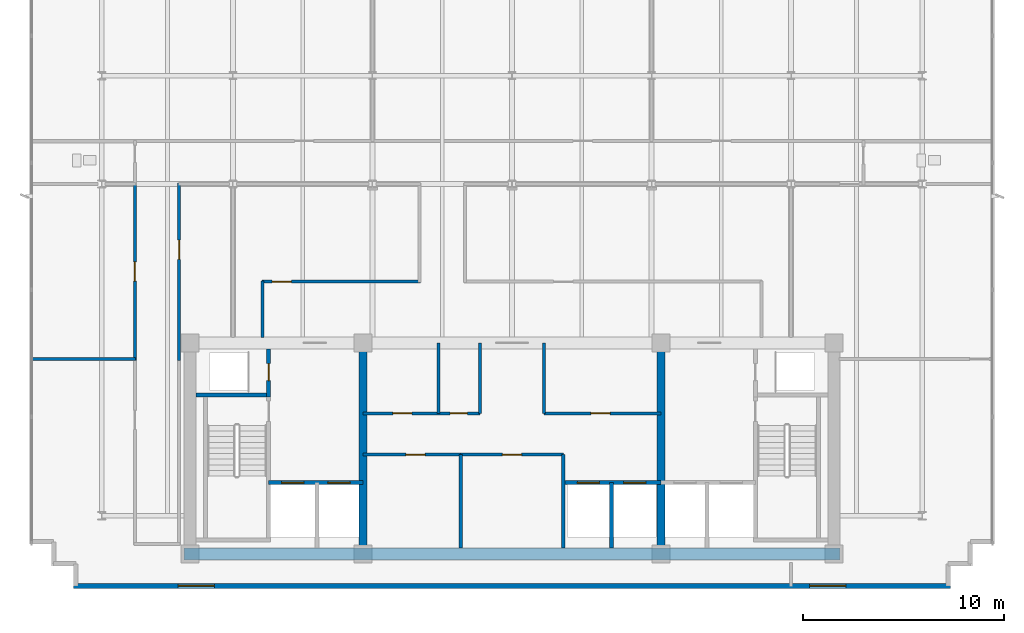
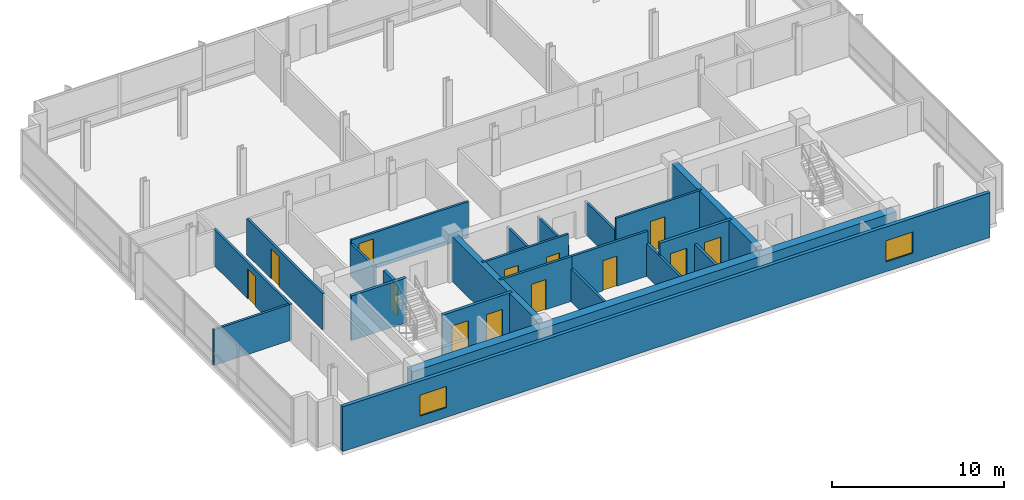
# One storey, part 8 of 13: 23 walls, 13 doors, 2 windows, 15 openings.
"""IFC4 building model written with IfcOpenShell, lengths in metres."""

from ifc_helpers import new_model, si_unit, direction, frame, frame_2d, origin, place, context, subcontext, project, spatial, rectangle, extrude, material, layer, layer_set, type_object, element, fill, save


model = new_model("IFC4")

# Units and contexts
model_context = context("Model", 3, precision=1e-05, world=origin(), true_north=direction((0.0, 1.0)))
body_context = subcontext(model_context, "Body", "Model", "MODEL_VIEW")
ifc_project = project(units=[si_unit("LENGTHUNIT", "METRE"), si_unit("AREAUNIT", "SQUARE_METRE"), si_unit("VOLUMEUNIT", "CUBIC_METRE"), si_unit("PLANEANGLEUNIT", "RADIAN"), si_unit("MASSUNIT", "GRAM", prefix="KILO")], contexts=[model_context])

# Site, building, storey
site_placement = place(None, origin())
site = spatial("IfcSite", under=ifc_project, at=site_placement, CompositionType="ELEMENT")
building_placement = place(site_placement, origin())
building = spatial("IfcBuilding", under=site, at=building_placement, Name="Solmavex Isthmus Hotel", CompositionType="ELEMENT")
storey_placement = place(building_placement, frame((0.0, 0.0, 279.89990234375)))
storey = spatial("IfcBuildingStorey", under=building, at=storey_placement, Name="L76", CompositionType="ELEMENT", Elevation=279.89990234375)

# Wall, openings, windows
ifc_material_1 = material(Name="Precast Concrete C40/50", Category="concrete")
ifc_layer_1 = layer(ifc_material_1, 0.25)
ifc_layer_set_1 = layer_set([ifc_layer_1], Name="Precast Concrete C40/50")
wall_type_1 = type_object("IfcWallType", Name="EW-TWR-250", PredefinedType="STANDARD", material=ifc_layer_set_1)
wall_1_placement = place(storey_placement, frame((-21.800048828125, -14.580078125, 0.0), z_axis=(0.0, 0.0, 1.0), x_axis=(1.0, 0.0, 0.0)))
wall_1 = element("IfcWall", 1, at=wall_1_placement, inside=storey, type_object=wall_type_1, Name="Tower Rear South Facade Wall L76", PredefinedType="STANDARD", context=body_context, shape_type="SweptSolid", body=[
    extrude(rectangle(XDim=43.60009765625, YDim=0.239990234375, at=frame_2d((21.800048828125, 0.0))), origin(), (0.0, 0.0, 1.0), 3.190185546875),
])
opening_1_placement = place(wall_1_placement, frame((5.2041015625, 0.0, 0.699951171875)))
opening_1 = element("IfcOpeningElement", 2, at=opening_1_placement, cuts=wall_1, Name="Opening WN-02", PredefinedType="OPENING", context=body_context, shape_type="SweptSolid", body=[
    extrude(rectangle(XDim=1.800048828125, YDim=1.5, at=frame_2d((0.89990234375, 0.75))), frame((0.0, 0.1298828125, 0.0), z_axis=(0.0, -1.0, 0.0), x_axis=(1.0, 0.0, 0.0)), (0.0, 0.0, 1.0), 0.260009765625),
])
opening_2_placement = place(wall_1_placement, frame((36.595947265625, 0.0, 0.699951171875)))
opening_2 = element("IfcOpeningElement", 3, at=opening_2_placement, cuts=wall_1, Name="Opening WN-02", PredefinedType="OPENING", context=body_context, shape_type="SweptSolid", body=[
    extrude(rectangle(XDim=1.800048828125, YDim=1.5, at=frame_2d((0.89990234375, 0.75))), frame((0.0, 0.1298828125, 0.0), z_axis=(0.0, -1.0, 0.0), x_axis=(1.0, 0.0, 0.0)), (0.0, 0.0, 1.0), 0.260009765625),
])
ifc_material_2 = material(Name="Clear low-E laminated glass", Category="glass")
window_type = type_object("IfcWindowType", Name="WIN-TWR-1800", PartitioningType="SINGLE_PANEL", PredefinedType="WINDOW", material=ifc_material_2)
window_1_placement = place(opening_1_placement, origin())
window_1 = element("IfcWindow", 4, at=window_1_placement, inside=storey, type_object=window_type, Name="South Facade Vision Window L76-S1", OverallHeight=1.5, OverallWidth=1.800048828125, PartitioningType="SINGLE_PANEL", PredefinedType="WINDOW", context=body_context, shape_type="SweptSolid", body=[
    extrude(rectangle(XDim=1.800048828125, YDim=1.5, at=frame_2d((0.89990234375, 0.75))), frame((0.0, 0.030029296875, 0.0), z_axis=(0.0, -1.0, 0.0), x_axis=(1.0, 0.0, 0.0)), (0.0, 0.0, 1.0), 0.06005859375),
])
fill(opening_1, window_1)
window_2_placement = place(opening_2_placement, origin())
window_2 = element("IfcWindow", 5, at=window_2_placement, inside=storey, type_object=window_type, Name="South Facade Vision Window L76-S2", OverallHeight=1.5, OverallWidth=1.800048828125, PartitioningType="SINGLE_PANEL", PredefinedType="WINDOW", context=body_context, shape_type="SweptSolid", body=[
    extrude(rectangle(XDim=1.800048828125, YDim=1.5, at=frame_2d((0.89990234375, 0.75))), frame((0.0, 0.030029296875, 0.0), z_axis=(0.0, -1.0, 0.0), x_axis=(1.0, 0.0, 0.0)), (0.0, 0.0, 1.0), 0.06005859375),
])
fill(opening_2, window_2)

# Wall, opening, door
ifc_material_3 = material(Name="Gypsum plasterboard lining", Category="gypsum")
ifc_layer_2 = layer(ifc_material_3, 0.159912109375)
ifc_layer_set_2 = layer_set([ifc_layer_2], Name="Gypsum plasterboard lining")
wall_type_2 = type_object("IfcWallType", Name="IW-COMP-160", PredefinedType="PARTITIONING", material=ifc_layer_set_2)
wall_2_placement = place(storey_placement, frame((-7.39990234375, -8.050048828125, 0.0), z_axis=(0.0, 0.0, 1.0), x_axis=(1.0, 0.0, 0.0)))
wall_2 = element("IfcWall", 6, at=wall_2_placement, inside=storey, type_object=wall_type_2, Name="Interior Partition Wall W-L76-REC-PLL-N", PredefinedType="PARTITIONING", context=body_context, shape_type="SweptSolid", body=[
    extrude(rectangle(XDim=4.849853515625, YDim=0.159912109375, at=frame_2d((2.4248046875, 0.0))), origin(), (0.0, 0.0, 1.0), 3.190185546875),
])
opening_3_placement = place(wall_2_placement, frame((2.125, 0.0, 0.0)))
opening_3 = element("IfcOpeningElement", 7, at=opening_3_placement, cuts=wall_2, Name="Opening ID-C095", PredefinedType="OPENING", context=body_context, shape_type="SweptSolid", body=[
    extrude(rectangle(XDim=0.949951171875, YDim=2.14990234375, at=frame_2d((0.47509765625, 1.074951171875))), frame((0.0, 0.08984375, 0.0), z_axis=(0.0, -1.0, 0.0), x_axis=(1.0, 0.0, 0.0)), (0.0, 0.0, 1.0), 0.179931640625),
])
ifc_material_4 = material(Name="Hardwood timber", Category="wood")
door_type_1 = type_object("IfcDoorType", Name="IDR-FD60-0950", OperationType="NOTDEFINED", PredefinedType="DOOR", material=ifc_material_4)
door_1_placement = place(opening_3_placement, origin())
door_1 = element("IfcDoor", 8, at=door_1_placement, inside=storey, type_object=door_type_1, Name="Linen Reserve Door L76", OperationType="SINGLE_SWING_LEFT", OverallHeight=2.14990234375, OverallWidth=0.949951171875, PredefinedType="DOOR", context=body_context, shape_type="SweptSolid", body=[
    extrude(rectangle(XDim=0.949951171875, YDim=2.14990234375, at=frame_2d((0.47509765625, 1.074951171875))), frame((0.0, 0.02490234375, 0.0), z_axis=(0.0, -1.0, 0.0), x_axis=(1.0, 0.0, 0.0)), (0.0, 0.0, 1.0), 0.050048828125),
])
fill(opening_3, door_1)

# Wall
wall_3_placement = place(storey_placement, frame((-2.550048828125, -12.699951171875, 0.0), z_axis=(0.0, 0.0, 1.0), x_axis=(0.0, 1.0, 0.0)))
element("IfcWall", 9, at=wall_3_placement, inside=storey, type_object=wall_type_2, Name="Interior Partition Wall W-L76-REC-PLL-E", PredefinedType="PARTITIONING", context=body_context, shape_type="SweptSolid", body=[
    extrude(rectangle(XDim=4.64990234375, YDim=0.159912109375, at=frame_2d((2.324951171875, 0.0))), origin(), (0.0, 0.0, 1.0), 2.3251953125),
])

# Wall, opening, door
wall_4_placement = place(storey_placement, frame((-2.550048828125, -8.050048828125, 0.0), z_axis=(0.0, 0.0, 1.0), x_axis=(1.0, 0.0, 0.0)))
wall_4 = element("IfcWall", 10, at=wall_4_placement, inside=storey, type_object=wall_type_2, Name="Interior Partition Wall W-L76-REC-PLM-N", PredefinedType="PARTITIONING", context=body_context, shape_type="SweptSolid", body=[
    extrude(rectangle(XDim=5.10009765625, YDim=0.159912109375, at=frame_2d((2.550048828125, 0.0))), origin(), (0.0, 0.0, 1.0), 3.190185546875),
])
opening_4_placement = place(wall_4_placement, frame((2.074951171875, 0.0, 0.0)))
opening_4 = element("IfcOpeningElement", 11, at=opening_4_placement, cuts=wall_4, Name="Opening ID-C095", PredefinedType="OPENING", context=body_context, shape_type="SweptSolid", body=[
    extrude(rectangle(XDim=0.949951171875, YDim=2.14990234375, at=frame_2d((0.47509765625, 1.074951171875))), frame((0.0, 0.08984375, 0.0), z_axis=(0.0, -1.0, 0.0), x_axis=(1.0, 0.0, 0.0)), (0.0, 0.0, 1.0), 0.179931640625),
])
door_2_placement = place(opening_4_placement, origin())
door_2 = element("IfcDoor", 12, at=door_2_placement, inside=storey, type_object=door_type_1, Name="Butler Store Door L76", OperationType="SINGLE_SWING_RIGHT", OverallHeight=2.14990234375, OverallWidth=0.949951171875, PredefinedType="DOOR", context=body_context, shape_type="SweptSolid", body=[
    extrude(rectangle(XDim=0.949951171875, YDim=2.14990234375, at=frame_2d((0.47509765625, 1.074951171875))), frame((0.0, 0.02490234375, 0.0), z_axis=(0.0, -1.0, 0.0), x_axis=(1.0, 0.0, 0.0)), (0.0, 0.0, 1.0), 0.050048828125),
])
fill(opening_4, door_2)

# Walls
wall_5_placement = place(storey_placement, frame((2.550048828125, -12.699951171875, 0.0), z_axis=(0.0, 0.0, 1.0), x_axis=(0.0, 1.0, 0.0)))
element("IfcWall", 13, at=wall_5_placement, inside=storey, type_object=wall_type_2, Name="Interior Partition Wall W-L76-REC-PLM-E", PredefinedType="PARTITIONING", context=body_context, shape_type="SweptSolid", body=[
    extrude(rectangle(XDim=4.64990234375, YDim=0.159912109375, at=frame_2d((2.324951171875, 0.0))), origin(), (0.0, 0.0, 1.0), 2.3251953125),
])
wall_6_placement = place(storey_placement, frame((-18.7099609375, -3.300048828125, 0.0), z_axis=(0.0, 0.0, 1.0), x_axis=(-1.0, 0.0, 0.0)))
element("IfcWall", 14, at=wall_6_placement, inside=storey, type_object=wall_type_2, Name="Interior Partition Wall W-L76-P040", PredefinedType="PARTITIONING", context=body_context, shape_type="SweptSolid", body=[
    extrude(rectangle(XDim=5.2099609375, YDim=0.159912109375, at=frame_2d((2.60498046875, 0.0))), origin(), (0.0, 0.0, 1.0), 2.5576171875),
])

# Wall, openings, doors
ifc_layer_3 = layer(ifc_material_3, 0.14990234375)
ifc_layer_set_3 = layer_set([ifc_layer_3], Name="Gypsum plasterboard lining")
wall_type_3 = type_object("IfcWallType", Name="IW-CORR-150", PredefinedType="PARTITIONING", material=ifc_layer_set_3)
wall_7_placement = place(storey_placement, frame((-7.39990234375, -6.0, 0.0), z_axis=(0.0, 0.0, 1.0), x_axis=(1.0, 0.0, 0.0)))
wall_7 = element("IfcWall", 15, at=wall_7_placement, inside=storey, type_object=wall_type_3, Name="Interior Partition Wall W-L76-BOH-WS", PredefinedType="PARTITIONING", context=body_context, shape_type="SweptSolid", body=[
    extrude(rectangle(XDim=5.7998046875, YDim=0.14990234375, at=frame_2d((2.89990234375, 0.0))), origin(), (0.0, 0.0, 1.0), 3.190185546875),
])
opening_5_placement = place(wall_7_placement, frame((1.47509765625, 0.0, 0.0)))
opening_5 = element("IfcOpeningElement", 16, at=opening_5_placement, cuts=wall_7, Name="Opening ID-C095", PredefinedType="OPENING", context=body_context, shape_type="SweptSolid", body=[
    extrude(rectangle(XDim=0.949951171875, YDim=2.14990234375, at=frame_2d((0.47509765625, 1.074951171875))), frame((0.0, 0.0849609375, 0.0), z_axis=(0.0, -1.0, 0.0), x_axis=(1.0, 0.0, 0.0)), (0.0, 0.0, 1.0), 0.169921875),
])
opening_6_placement = place(wall_7_placement, frame((4.324951171875, 0.0, 0.0)))
opening_6 = element("IfcOpeningElement", 17, at=opening_6_placement, cuts=wall_7, Name="Opening ID-R085", PredefinedType="OPENING", context=body_context, shape_type="SweptSolid", body=[
    extrude(rectangle(XDim=0.85009765625, YDim=2.050048828125, at=frame_2d((0.425048828125, 1.02490234375))), frame((0.0, 0.0849609375, 0.0), z_axis=(0.0, -1.0, 0.0), x_axis=(1.0, 0.0, 0.0)), (0.0, 0.0, 1.0), 0.169921875),
])
ifc_material_5 = material(Name="Steel ASTM A500 Grade C", Category="steel")
door_type_2 = type_object("IfcDoorType", Name="IDR-FD60-0850", OperationType="NOTDEFINED", PredefinedType="DOOR", material=ifc_material_5)
door_3_placement = place(opening_6_placement, frame((0.85009765625, 0.0, 0.0), z_axis=(0.0, 0.0, 1.0), x_axis=(-1.0, 0.0, 0.0)))
door_3 = element("IfcDoor", 18, at=door_3_placement, inside=storey, type_object=door_type_2, Name="Cleaner Closet Door L76", OperationType="SINGLE_SWING_RIGHT", OverallHeight=2.050048828125, OverallWidth=0.85009765625, PredefinedType="DOOR", context=body_context, shape_type="SweptSolid", body=[
    extrude(rectangle(XDim=0.85009765625, YDim=2.050048828125, at=frame_2d((0.425048828125, 1.02490234375))), frame((0.0, 0.02490234375, 0.0), z_axis=(0.0, -1.0, 0.0), x_axis=(1.0, 0.0, 0.0)), (0.0, 0.0, 1.0), 0.050048828125),
])
fill(opening_6, door_3)
door_4_placement = place(opening_5_placement, frame((0.949951171875, 0.0, 0.0), z_axis=(0.0, 0.0, 1.0), x_axis=(-1.0, 0.0, 0.0)))
door_4 = element("IfcDoor", 19, at=door_4_placement, inside=storey, type_object=door_type_1, Name="Housekeeping Store Door L76", OperationType="SINGLE_SWING_LEFT", OverallHeight=2.14990234375, OverallWidth=0.949951171875, PredefinedType="DOOR", context=body_context, shape_type="SweptSolid", body=[
    extrude(rectangle(XDim=0.949951171875, YDim=2.14990234375, at=frame_2d((0.47509765625, 1.074951171875))), frame((0.0, 0.02490234375, 0.0), z_axis=(0.0, -1.0, 0.0), x_axis=(1.0, 0.0, 0.0)), (0.0, 0.0, 1.0), 0.050048828125),
])
fill(opening_5, door_4)

# Wall
wall_8_placement = place(storey_placement, frame((-1.60009765625, -6.0, 0.0), z_axis=(0.0, 0.0, 1.0), x_axis=(0.0, 1.0, 0.0)))
element("IfcWall", 20, at=wall_8_placement, inside=storey, type_object=wall_type_3, Name="Interior Partition Wall W-L76-BOH-WE", PredefinedType="PARTITIONING", context=body_context, shape_type="SweptSolid", body=[
    extrude(rectangle(XDim=3.5, YDim=0.14990234375, at=frame_2d((1.75, 0.0))), origin(), (0.0, 0.0, 1.0), 2.3251953125),
])

# Wall, opening, door
wall_9_placement = place(storey_placement, frame((1.60009765625, -6.0, 0.0), z_axis=(0.0, 0.0, 1.0), x_axis=(1.0, 0.0, 0.0)))
wall_9 = element("IfcWall", 21, at=wall_9_placement, inside=storey, type_object=wall_type_3, Name="Interior Partition Wall W-L76-BOH-ES", PredefinedType="PARTITIONING", context=body_context, shape_type="SweptSolid", body=[
    extrude(rectangle(XDim=5.7998046875, YDim=0.14990234375, at=frame_2d((2.89990234375, 0.0))), origin(), (0.0, 0.0, 1.0), 3.190185546875),
])
opening_7_placement = place(wall_9_placement, frame((2.324951171875, 0.0, 0.0)))
opening_7 = element("IfcOpeningElement", 22, at=opening_7_placement, cuts=wall_9, Name="Opening ID-C095", PredefinedType="OPENING", context=body_context, shape_type="SweptSolid", body=[
    extrude(rectangle(XDim=0.949951171875, YDim=2.14990234375, at=frame_2d((0.47509765625, 1.074951171875))), frame((0.0, 0.0849609375, 0.0), z_axis=(0.0, -1.0, 0.0), x_axis=(1.0, 0.0, 0.0)), (0.0, 0.0, 1.0), 0.169921875),
])
door_5_placement = place(opening_7_placement, frame((0.949951171875, 0.0, 0.0), z_axis=(0.0, 0.0, 1.0), x_axis=(-1.0, 0.0, 0.0)))
door_5 = element("IfcDoor", 23, at=door_5_placement, inside=storey, type_object=door_type_1, Name="Butler Pantry Door L76", OperationType="SINGLE_SWING_RIGHT", OverallHeight=2.14990234375, OverallWidth=0.949951171875, PredefinedType="DOOR", context=body_context, shape_type="SweptSolid", body=[
    extrude(rectangle(XDim=0.949951171875, YDim=2.14990234375, at=frame_2d((0.47509765625, 1.074951171875))), frame((0.0, 0.02490234375, 0.0), z_axis=(0.0, -1.0, 0.0), x_axis=(1.0, 0.0, 0.0)), (0.0, 0.0, 1.0), 0.050048828125),
])
fill(opening_7, door_5)

# Wall
wall_10_placement = place(storey_placement, frame((1.60009765625, -6.0, 0.0), z_axis=(0.0, 0.0, 1.0), x_axis=(0.0, 1.0, 0.0)))
element("IfcWall", 24, at=wall_10_placement, inside=storey, type_object=wall_type_3, Name="Interior Partition Wall W-L76-BOH-EW", PredefinedType="PARTITIONING", context=body_context, shape_type="SweptSolid", body=[
    extrude(rectangle(XDim=3.5, YDim=0.14990234375, at=frame_2d((1.75, 0.0))), origin(), (0.0, 0.0, 1.0), 2.3251953125),
])

# Wall, opening, door
wall_11_placement = place(storey_placement, frame((-16.550048828125, 5.43994140625, 0.0), z_axis=(0.0, 0.0, 1.0), x_axis=(0.0, -1.0, 0.0)))
wall_11 = element("IfcWall", 25, at=wall_11_placement, inside=storey, type_object=wall_type_3, Name="Interior Partition Wall W-L76-P007", PredefinedType="PARTITIONING", context=body_context, shape_type="SweptSolid", body=[
    extrude(rectangle(XDim=8.822021484375, YDim=0.14990234375, at=frame_2d((4.4111328125, 0.0))), origin(), (0.0, 0.0, 1.0), 2.572509765625),
])
opening_8_placement = place(wall_11_placement, frame((2.83447265625, 0.0, 0.0)))
opening_8 = element("IfcOpeningElement", 26, at=opening_8_placement, cuts=wall_11, Name="Opening ID-C095", PredefinedType="OPENING", context=body_context, shape_type="SweptSolid", body=[
    extrude(rectangle(XDim=0.949951171875, YDim=2.14990234375, at=frame_2d((0.47509765625, 1.074951171875))), frame((0.0, 0.0849609375, 0.0), z_axis=(0.0, -1.0, 0.0), x_axis=(1.0, 0.0, 0.0)), (0.0, 0.0, 1.0), 0.169921875),
])
door_6_placement = place(opening_8_placement, frame((0.949951171875, 0.0, 0.0), z_axis=(0.0, 0.0, 1.0), x_axis=(-1.0, 0.0, 0.0)))
door_6 = element("IfcDoor", 27, at=door_6_placement, inside=storey, type_object=door_type_1, Name="Private Chef Kitchen Door L76-06", OperationType="SINGLE_SWING_RIGHT", OverallHeight=2.14990234375, OverallWidth=0.949951171875, PredefinedType="DOOR", context=body_context, shape_type="SweptSolid", body=[
    extrude(rectangle(XDim=0.949951171875, YDim=2.14990234375, at=frame_2d((0.47509765625, 1.074951171875))), frame((0.0, 0.02490234375, 0.0), z_axis=(0.0, -1.0, 0.0), x_axis=(1.0, 0.0, 0.0)), (0.0, 0.0, 1.0), 0.050048828125),
])
fill(opening_8, door_6)

wall_12_placement = place(storey_placement, frame((-18.75, -3.382080078125, 0.0), z_axis=(0.0, 0.0, 1.0), x_axis=(0.0, 1.0, 0.0)))
wall_12 = element("IfcWall", 28, at=wall_12_placement, inside=storey, type_object=wall_type_3, Name="Interior Partition Wall W-L76-P008", PredefinedType="PARTITIONING", context=body_context, shape_type="SweptSolid", body=[
    extrude(rectangle(XDim=8.864013671875, YDim=0.14990234375, at=frame_2d((4.43212890625, 0.0))), origin(), (0.0, 0.0, 1.0), 2.572509765625),
])
opening_9_placement = place(wall_12_placement, frame((3.95703125, 0.0, 0.0)))
opening_9 = element("IfcOpeningElement", 29, at=opening_9_placement, cuts=wall_12, Name="Opening ID-C095", PredefinedType="OPENING", context=body_context, shape_type="SweptSolid", body=[
    extrude(rectangle(XDim=0.949951171875, YDim=2.14990234375, at=frame_2d((0.47509765625, 1.074951171875))), frame((0.0, 0.0849609375, 0.0), z_axis=(0.0, -1.0, 0.0), x_axis=(1.0, 0.0, 0.0)), (0.0, 0.0, 1.0), 0.169921875),
])
door_7_placement = place(opening_9_placement, origin())
door_7 = element("IfcDoor", 30, at=door_7_placement, inside=storey, type_object=door_type_1, Name="Wine Tasting Lounge Door L76-07", OperationType="SINGLE_SWING_LEFT", OverallHeight=2.14990234375, OverallWidth=0.949951171875, PredefinedType="DOOR", context=body_context, shape_type="SweptSolid", body=[
    extrude(rectangle(XDim=0.949951171875, YDim=2.14990234375, at=frame_2d((0.47509765625, 1.074951171875))), frame((0.0, 0.02490234375, 0.0), z_axis=(0.0, -1.0, 0.0), x_axis=(1.0, 0.0, 0.0)), (0.0, 0.0, 1.0), 0.050048828125),
])
fill(opening_9, door_7)

# Wall
wall_13_placement = place(storey_placement, frame((-12.39990234375, -2.239990234375, 0.0), z_axis=(0.0, 0.0, 1.0), x_axis=(0.0, 1.0, 0.0)))
element("IfcWall", 31, at=wall_13_placement, inside=storey, type_object=wall_type_3, Name="Interior Partition Wall W-L76-P009", PredefinedType="PARTITIONING", context=body_context, shape_type="SweptSolid", body=[
    extrude(rectangle(XDim=2.830078125, YDim=0.14990234375, at=frame_2d((1.4150390625, 0.0))), origin(), (0.0, 0.0, 1.0), 2.3251953125),
])

# Wall, opening, door
wall_14_placement = place(storey_placement, frame((-12.43994140625, 0.550048828125, 0.0), z_axis=(0.0, 0.0, 1.0), x_axis=(1.0, 0.0, 0.0)))
wall_14 = element("IfcWall", 32, at=wall_14_placement, inside=storey, type_object=wall_type_3, Name="Interior Partition Wall W-L76-P010", PredefinedType="PARTITIONING", context=body_context, shape_type="SweptSolid", body=[
    extrude(rectangle(XDim=7.891845703125, YDim=0.14990234375, at=frame_2d((3.94580078125, 0.0))), origin(), (0.0, 0.0, 1.0), 2.572509765625),
])
opening_10_placement = place(wall_14_placement, frame((0.51806640625, 0.0, 0.0)))
opening_10 = element("IfcOpeningElement", 33, at=opening_10_placement, cuts=wall_14, Name="Opening ID-C095", PredefinedType="OPENING", context=body_context, shape_type="SweptSolid", body=[
    extrude(rectangle(XDim=0.949951171875, YDim=2.14990234375, at=frame_2d((0.47509765625, 1.074951171875))), frame((0.0, 0.0849609375, 0.0), z_axis=(0.0, -1.0, 0.0), x_axis=(1.0, 0.0, 0.0)), (0.0, 0.0, 1.0), 0.169921875),
])
door_8_placement = place(opening_10_placement, origin())
door_8 = element("IfcDoor", 34, at=door_8_placement, inside=storey, type_object=door_type_1, Name="Catering Servery Kitchen Door L76-08", OperationType="SINGLE_SWING_RIGHT", OverallHeight=2.14990234375, OverallWidth=0.949951171875, PredefinedType="DOOR", context=body_context, shape_type="SweptSolid", body=[
    extrude(rectangle(XDim=0.949951171875, YDim=2.14990234375, at=frame_2d((0.47509765625, 1.074951171875))), frame((0.0, 0.02490234375, 0.0), z_axis=(0.0, -1.0, 0.0), x_axis=(1.0, 0.0, 0.0)), (0.0, 0.0, 1.0), 0.050048828125),
])
fill(opening_10, door_8)

# Walls
ifc_layer_4 = layer(ifc_material_3, 0.1201171875)
ifc_layer_set_4 = layer_set([ifc_layer_4], Name="Gypsum plasterboard lining")
wall_type_4 = type_object("IfcWallType", Name="IW-PART-120", PredefinedType="PARTITIONING", material=ifc_layer_set_4)
wall_15_placement = place(storey_placement, frame((-3.64990234375, -6.0, 0.0), z_axis=(0.0, 0.0, 1.0), x_axis=(0.0, 1.0, 0.0)))
element("IfcWall", 35, at=wall_15_placement, inside=storey, type_object=wall_type_4, Name="Interior Partition Wall W-L76-BOH-WM1", PredefinedType="PARTITIONING", context=body_context, shape_type="SweptSolid", body=[
    extrude(rectangle(XDim=3.5, YDim=0.14990234375, at=frame_2d((1.75, 0.0))), origin(), (0.0, 0.0, 1.0), 2.3251953125),
])
ifc_material_6 = material(Name="Concrete C40/50", Category="concrete")
ifc_layer_5 = layer(ifc_material_6, 0.179931640625)
ifc_layer_set_5 = layer_set([ifc_layer_5], Name="Concrete C40/50")
wall_type_5 = type_object("IfcWallType", Name="IW-SHAFT-180", PredefinedType="PARTITIONING", material=ifc_layer_set_5)
wall_16_placement = place(storey_placement, frame((4.949951171875, -12.699951171875, 0.0), z_axis=(0.0, 0.0, 1.0), x_axis=(0.0, 1.0, 0.0)))
element("IfcWall", 36, at=wall_16_placement, inside=storey, type_object=wall_type_5, Name="Interior Partition Wall W-L76-SH-PLH-M", PredefinedType="PARTITIONING", context=body_context, shape_type="SweptSolid", body=[
    extrude(rectangle(XDim=3.25, YDim=0.179931640625, at=frame_2d((1.625, 0.0))), origin(), (0.0, 0.0, 1.0), 2.3251953125),
])

# Wall, opening, door
ifc_layer_6 = layer(ifc_material_6, 0.199951171875)
ifc_layer_set_6 = layer_set([ifc_layer_6], Name="Concrete C40/50")
wall_type_6 = type_object("IfcWallType", Name="IW-SHAFT-200", PredefinedType="PARTITIONING", material=ifc_layer_set_6)
wall_17_placement = place(storey_placement, frame((-12.10009765625, -5.199951171875, 0.0), z_axis=(0.0, 0.0, 1.0), x_axis=(0.0, 1.0, 0.0)))
wall_17 = element("IfcWall", 37, at=wall_17_placement, inside=storey, type_object=wall_type_6, Name="Interior Partition Wall W-L76-RSW-E", PredefinedType="PARTITIONING", context=body_context, shape_type="SweptSolid", body=[
    extrude(rectangle(XDim=2.39990234375, YDim=0.199951171875, at=frame_2d((1.199951171875, 0.0))), origin(), (0.0, 0.0, 1.0), 2.3251953125),
])
opening_11_placement = place(wall_17_placement, frame((0.824951171875, 0.0, 0.0)))
opening_11 = element("IfcOpeningElement", 38, at=opening_11_placement, cuts=wall_17, Name="Opening ID-R085", PredefinedType="OPENING", context=body_context, shape_type="SweptSolid", body=[
    extrude(rectangle(XDim=0.85009765625, YDim=2.050048828125, at=frame_2d((0.425048828125, 1.02490234375))), frame((0.0, 0.10986328125, 0.0), z_axis=(0.0, -1.0, 0.0), x_axis=(1.0, 0.0, 0.0)), (0.0, 0.0, 1.0), 0.219970703125),
])
door_9_placement = place(opening_11_placement, origin())
door_9 = element("IfcDoor", 39, at=door_9_placement, inside=storey, type_object=door_type_2, Name="Electrical Riser Door L76", OperationType="SINGLE_SWING_RIGHT", OverallHeight=2.050048828125, OverallWidth=0.85009765625, PredefinedType="DOOR", context=body_context, shape_type="SweptSolid", body=[
    extrude(rectangle(XDim=0.85009765625, YDim=2.050048828125, at=frame_2d((0.425048828125, 1.02490234375))), frame((0.0, 0.02490234375, 0.0), z_axis=(0.0, -1.0, 0.0), x_axis=(1.0, 0.0, 0.0)), (0.0, 0.0, 1.0), 0.050048828125),
])
fill(opening_11, door_9)

# Wall, openings, doors
wall_18_placement = place(storey_placement, frame((-12.10009765625, -9.449951171875, 0.0), z_axis=(0.0, 0.0, 1.0), x_axis=(1.0, 0.0, 0.0)))
wall_18 = element("IfcWall", 40, at=wall_18_placement, inside=storey, type_object=wall_type_6, Name="Interior Partition Wall W-L76-FFLW-S", PredefinedType="PARTITIONING", context=body_context, shape_type="SweptSolid", body=[
    extrude(rectangle(XDim=4.7001953125, YDim=0.199951171875, at=frame_2d((2.35009765625, 0.0))), origin(), (0.0, 0.0, 1.0), 3.190185546875),
])
opening_12_placement = place(wall_18_placement, frame((0.64990234375, 0.0, 0.0)))
opening_12 = element("IfcOpeningElement", 41, at=opening_12_placement, cuts=wall_18, Name="Opening LD-FF", PredefinedType="OPENING", context=body_context, shape_type="SweptSolid", body=[
    extrude(rectangle(XDim=1.10009765625, YDim=2.199951171875, at=frame_2d((0.550048828125, 1.10009765625))), frame((0.0, 0.10986328125, 0.0), z_axis=(0.0, -1.0, 0.0), x_axis=(1.0, 0.0, 0.0)), (0.0, 0.0, 1.0), 0.219970703125),
])
opening_13_placement = place(wall_18_placement, frame((2.949951171875, 0.0, 0.0)))
opening_13 = element("IfcOpeningElement", 42, at=opening_13_placement, cuts=wall_18, Name="Opening LD-SV", PredefinedType="OPENING", context=body_context, shape_type="SweptSolid", body=[
    extrude(rectangle(XDim=1.10009765625, YDim=2.199951171875, at=frame_2d((0.550048828125, 1.10009765625))), frame((0.0, 0.10986328125, 0.0), z_axis=(0.0, -1.0, 0.0), x_axis=(1.0, 0.0, 0.0)), (0.0, 0.0, 1.0), 0.219970703125),
])
ifc_material_7 = material(Name="Stainless steel 316", Category="steel")
door_type_3 = type_object("IfcDoorType", Name="LDR-FF-1100", OperationType="NOTDEFINED", PredefinedType="DOOR", material=ifc_material_7)
door_10_placement = place(opening_12_placement, origin())
door_10 = element("IfcDoor", 43, at=door_10_placement, inside=storey, type_object=door_type_3, Name="Lift Landing Door FFL-1 L76", OperationType="SLIDING_TO_LEFT", OverallHeight=2.199951171875, OverallWidth=1.10009765625, PredefinedType="DOOR", context=body_context, shape_type="SweptSolid", body=[
    extrude(rectangle(XDim=1.10009765625, YDim=2.199951171875, at=frame_2d((0.550048828125, 1.10009765625))), frame((0.0, 0.02490234375, 0.0), z_axis=(0.0, -1.0, 0.0), x_axis=(1.0, 0.0, 0.0)), (0.0, 0.0, 1.0), 0.050048828125),
])
fill(opening_12, door_10)
door_type_4 = type_object("IfcDoorType", Name="LDR-SV-1100", OperationType="NOTDEFINED", PredefinedType="DOOR", material=ifc_material_7)
door_11_placement = place(opening_13_placement, origin())
door_11 = element("IfcDoor", 44, at=door_11_placement, inside=storey, type_object=door_type_4, Name="Lift Landing Door SVL-1 L76", OperationType="SLIDING_TO_RIGHT", OverallHeight=2.199951171875, OverallWidth=1.10009765625, PredefinedType="DOOR", context=body_context, shape_type="SweptSolid", body=[
    extrude(rectangle(XDim=1.10009765625, YDim=2.199951171875, at=frame_2d((0.550048828125, 1.10009765625))), frame((0.0, 0.02490234375, 0.0), z_axis=(0.0, -1.0, 0.0), x_axis=(1.0, 0.0, 0.0)), (0.0, 0.0, 1.0), 0.050048828125),
])
fill(opening_13, door_11)

wall_19_placement = place(storey_placement, frame((2.550048828125, -9.449951171875, 0.0), z_axis=(0.0, 0.0, 1.0), x_axis=(1.0, 0.0, 0.0)))
wall_19 = element("IfcWall", 45, at=wall_19_placement, inside=storey, type_object=wall_type_6, Name="Interior Partition Wall W-L76-SH-PLH", PredefinedType="PARTITIONING", context=body_context, shape_type="SweptSolid", body=[
    extrude(rectangle(XDim=4.849853515625, YDim=0.199951171875, at=frame_2d((2.4248046875, 0.0))), origin(), (0.0, 0.0, 1.0), 3.190185546875),
])
opening_14_placement = place(wall_19_placement, frame((0.699951171875, 0.0, 0.0)))
opening_14 = element("IfcOpeningElement", 46, at=opening_14_placement, cuts=wall_19, Name="Opening LD-PL", PredefinedType="OPENING", context=body_context, shape_type="SweptSolid", body=[
    extrude(rectangle(XDim=1.10009765625, YDim=2.199951171875, at=frame_2d((0.550048828125, 1.10009765625))), frame((0.0, 0.10986328125, 0.0), z_axis=(0.0, -1.0, 0.0), x_axis=(1.0, 0.0, 0.0)), (0.0, 0.0, 1.0), 0.219970703125),
])
opening_15_placement = place(wall_19_placement, frame((3.0, 0.0, 0.0)))
opening_15 = element("IfcOpeningElement", 47, at=opening_15_placement, cuts=wall_19, Name="Opening LD-PL", PredefinedType="OPENING", context=body_context, shape_type="SweptSolid", body=[
    extrude(rectangle(XDim=1.10009765625, YDim=2.199951171875, at=frame_2d((0.550048828125, 1.10009765625))), frame((0.0, 0.10986328125, 0.0), z_axis=(0.0, -1.0, 0.0), x_axis=(1.0, 0.0, 0.0)), (0.0, 0.0, 1.0), 0.219970703125),
])
door_type_5 = type_object("IfcDoorType", Name="LDR-PL-1100", OperationType="NOTDEFINED", PredefinedType="DOOR", material=ifc_material_7)
door_12_placement = place(opening_14_placement, origin())
door_12 = element("IfcDoor", 48, at=door_12_placement, inside=storey, type_object=door_type_5, Name="Lift Landing Door PLH1 L76", OperationType="SLIDING_TO_LEFT", OverallHeight=2.199951171875, OverallWidth=1.10009765625, PredefinedType="DOOR", context=body_context, shape_type="SweptSolid", body=[
    extrude(rectangle(XDim=1.10009765625, YDim=2.199951171875, at=frame_2d((0.550048828125, 1.10009765625))), frame((0.0, 0.02490234375, 0.0), z_axis=(0.0, -1.0, 0.0), x_axis=(1.0, 0.0, 0.0)), (0.0, 0.0, 1.0), 0.050048828125),
])
fill(opening_14, door_12)
door_13_placement = place(opening_15_placement, origin())
door_13 = element("IfcDoor", 49, at=door_13_placement, inside=storey, type_object=door_type_5, Name="Lift Landing Door PLH2 L76", OperationType="SLIDING_TO_LEFT", OverallHeight=2.199951171875, OverallWidth=1.10009765625, PredefinedType="DOOR", context=body_context, shape_type="SweptSolid", body=[
    extrude(rectangle(XDim=1.10009765625, YDim=2.199951171875, at=frame_2d((0.550048828125, 1.10009765625))), frame((0.0, 0.02490234375, 0.0), z_axis=(0.0, -1.0, 0.0), x_axis=(1.0, 0.0, 0.0)), (0.0, 0.0, 1.0), 0.050048828125),
])
fill(opening_15, door_13)

# Walls
ifc_material_8 = material(Name="Concrete C50/60", Category="concrete")
ifc_layer_7 = layer(ifc_material_8, 0.39990234375)
ifc_layer_set_7 = layer_set([ifc_layer_7], Name="Concrete C50/60")
wall_type_7 = type_object("IfcWallType", Name="WALL-CW-400H", PredefinedType="SHEAR", material=ifc_layer_set_7)
for number, where, z_axis, x_axis, name in (
    (50, (-7.39990234375, -12.699951171875, 0.0), (0.0, 0.0, 1.0), (0.0, 1.0, 0.0), "Core Cross Shear Wall C1 L76"),
    (51, (7.39990234375, -12.699951171875, 0.0), (0.0, 0.0, 1.0), (0.0, 1.0, 0.0), "Core Cross Shear Wall C2 L76"),
):
    element("IfcWall", number, at=place(storey_placement, frame(where, z_axis=z_axis, x_axis=x_axis)), inside=storey, type_object=wall_type_7, Name=name, PredefinedType="SHEAR", context=body_context, shape_type="SweptSolid", body=[
        extrude(rectangle(XDim=9.89990234375, YDim=0.39990234375, at=frame_2d((4.949951171875, 0.0))), origin(), (0.0, 0.0, 1.0), 3.190185546875),
    ])
ifc_layer_8 = layer(ifc_material_8, 0.60009765625)
ifc_layer_set_8 = layer_set([ifc_layer_8], Name="Concrete C50/60")
wall_type_8 = type_object("IfcWallType", Name="WALL-CW-600", PredefinedType="SHEAR", material=ifc_layer_set_8)
wall_20_placement = place(storey_placement, frame((-16.300048828125, -13.0, 0.0), z_axis=(0.0, 0.0, 1.0), x_axis=(1.0, 0.0, 0.0)))
element("IfcWall", 52, at=wall_20_placement, inside=storey, type_object=wall_type_8, Name="Core Shear Wall South L76", PredefinedType="SHEAR", context=body_context, shape_type="SweptSolid", body=[
    extrude(rectangle(XDim=32.60009765625, YDim=0.60009765625, at=frame_2d((16.300048828125, 0.0))), origin(), (0.0, 0.0, 1.0), 2.91015625),
])
ifc_layer_9 = layer(ifc_material_6, 0.199951171875)
ifc_layer_set_9 = layer_set([ifc_layer_9], Name="Concrete C40/50")
wall_type_9 = type_object("IfcWallType", Name="WALL-SW-200", PredefinedType="SOLIDWALL", material=ifc_layer_set_9)
wall_21_placement = place(storey_placement, frame((-15.699951171875, -5.10009765625, 0.0), z_axis=(0.0, 0.0, 1.0), x_axis=(1.0, 0.0, 0.0)))
element("IfcWall", 53, at=wall_21_placement, inside=storey, type_object=wall_type_9, Name="Stairwell Structural Wall SW-L76-ST1-N", PredefinedType="SOLIDWALL", context=body_context, shape_type="SweptSolid", body=[
    extrude(rectangle(XDim=3.699951171875, YDim=0.199951171875, at=frame_2d((1.85009765625, 0.0))), origin(), (0.0, 0.0, 1.0), 3.190185546875),
])

save(model, "model.ifc")
